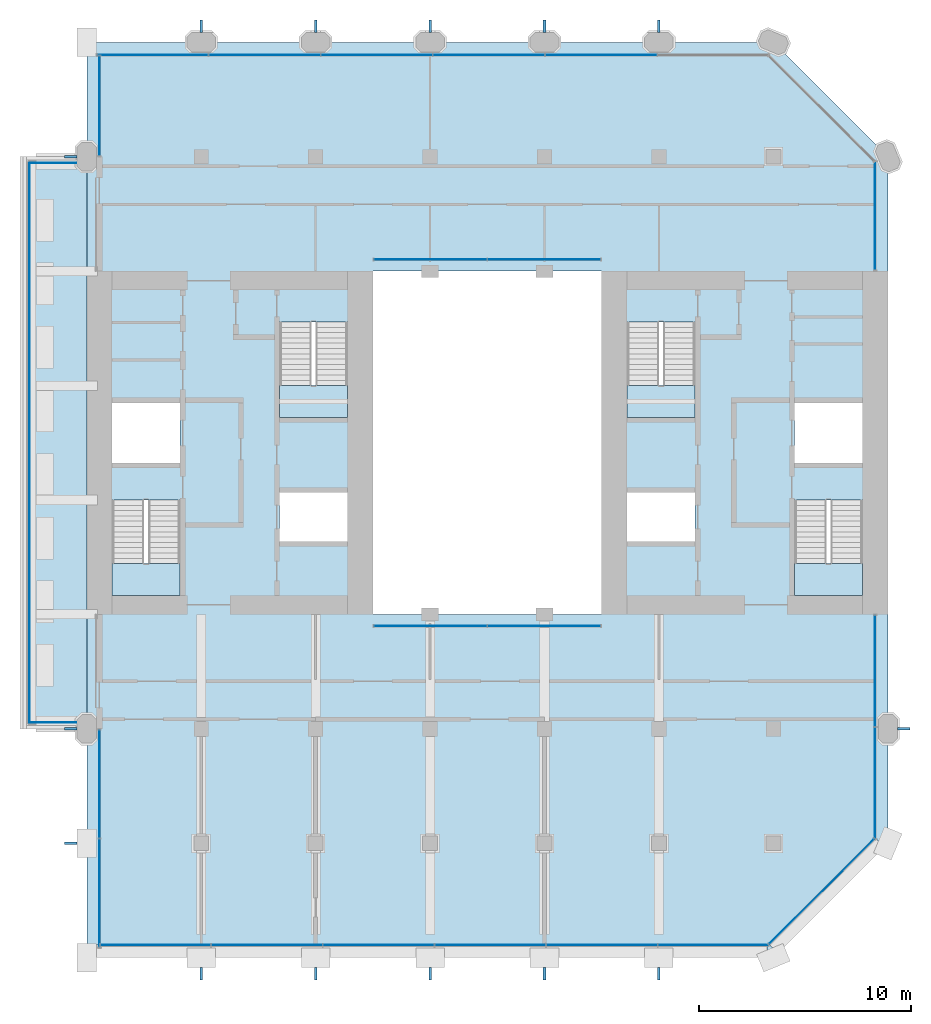
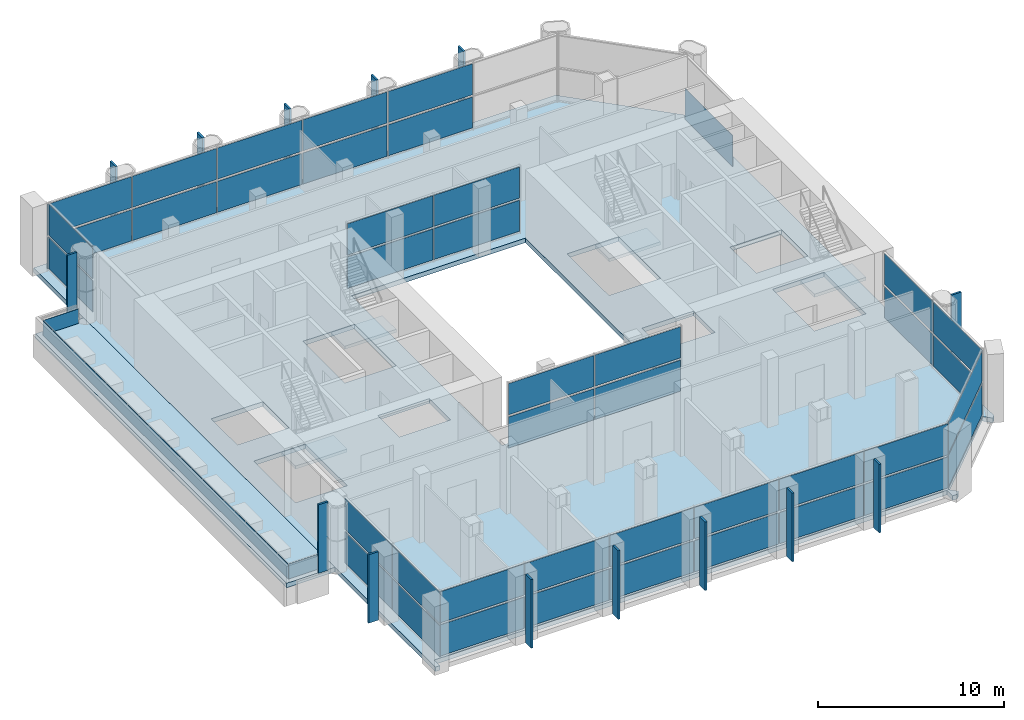
# One storey, part 8 of 14: 60 plates, 6 slabs, 13 elements without a shape of their own.
"""IFC4 building model written with IfcOpenShell, lengths in metres."""

from ifc_helpers import new_model, si_unit, direction, frame, frame_2d, origin, origin_2d, place, context, subcontext, project, spatial, polyline, rectangle, outline, extrude, material, layer, layer_set, type_object, element, aggregate, save


model = new_model("IFC4")

# Units and contexts
model_context = context("Model", 3, precision=1e-05, world=origin(), true_north=direction((0.0, 1.0)))
body_context = subcontext(model_context, "Body", "Model", "MODEL_VIEW")
ifc_project = project(units=[si_unit("LENGTHUNIT", "METRE"), si_unit("AREAUNIT", "SQUARE_METRE"), si_unit("VOLUMEUNIT", "CUBIC_METRE"), si_unit("PLANEANGLEUNIT", "RADIAN"), si_unit("MASSUNIT", "GRAM", prefix="KILO")], contexts=[model_context])

# Site, building, storey
site_placement = place(None, origin())
site = spatial("IfcSite", under=ifc_project, at=site_placement, CompositionType="ELEMENT")
building_placement = place(site_placement, origin())
building = spatial("IfcBuilding", under=site, at=building_placement, Name="Tabaq Tower and Sports Hall", CompositionType="ELEMENT")
storey_placement = place(building_placement, frame((0.0, 0.0, 250.89990234375)))
storey = spatial("IfcBuildingStorey", under=building, at=storey_placement, Name="L61", CompositionType="ELEMENT", Elevation=250.89990234375)

# Curtain wall, plates
ifc_material_1 = material(Name="Aluminium alloy 6063-T6 framed glazing", Category="aluminium")
curtain_wall_type_1 = type_object("IfcCurtainWallType", Name="CW1 curtain wall", PredefinedType="USERDEFINED", material=ifc_material_1)
curtain_wall_1_placement = place(storey_placement, origin())
curtain_wall_1 = element("IfcCurtainWall", 1, at=curtain_wall_1_placement, inside=storey, type_object=curtain_wall_type_1, Name="Atrium glazing L61 S", ObjectType="ATRIUM ENCLOSURE", PredefinedType="USERDEFINED")
ifc_material_2 = material(Name="Clear low-emissivity glass 28 mm", Category="glass")
ifc_layer_1 = layer(ifc_material_2, 0.028076171875)
ifc_layer_set_1 = layer_set([ifc_layer_1], Name="CW1 glass panel 28")
plate_type_1 = type_object("IfcPlateType", Name="CW1 glass panel 28", PredefinedType="CURTAIN_PANEL", material=ifc_layer_set_1)
plate_1_placement = place(storey_placement, frame((21.614990234375, 15.64990234375, 0.14013671875), z_axis=(0.0, 0.0, 1.0), x_axis=(1.0, 0.0, 0.0)))
plate_1 = element("IfcPlate", 2, at=plate_1_placement, type_object=plate_type_1, Name="CW1 panel 1.1", PredefinedType="CURTAIN_PANEL", context=body_context, shape_type="SweptSolid", body=[
    extrude(rectangle(XDim=5.31005859375, YDim=0.028076171875, at=origin_2d()), origin(), (0.0, 0.0, 1.0), 2.0400390625),
])
plate_2_placement = place(storey_placement, frame((21.614990234375, 15.64990234375, 2.320068359375), z_axis=(0.0, 0.0, 1.0), x_axis=(1.0, 0.0, 0.0)))
plate_2 = element("IfcPlate", 3, at=plate_2_placement, type_object=plate_type_1, Name="CW1 panel 1.2", PredefinedType="CURTAIN_PANEL", context=body_context, shape_type="SweptSolid", body=[
    extrude(rectangle(XDim=5.31005859375, YDim=0.028076171875, at=origin_2d()), origin(), (0.0, 0.0, 1.0), 2.0400390625),
])
plate_3_placement = place(storey_placement, frame((26.985107421875, 15.64990234375, 0.14013671875), z_axis=(0.0, 0.0, 1.0), x_axis=(1.0, 0.0, 0.0)))
plate_3 = element("IfcPlate", 4, at=plate_3_placement, type_object=plate_type_1, Name="CW1 panel 2.1", PredefinedType="CURTAIN_PANEL", context=body_context, shape_type="SweptSolid", body=[
    extrude(rectangle(XDim=5.31005859375, YDim=0.028076171875, at=origin_2d()), origin(), (0.0, 0.0, 1.0), 2.0400390625),
])
plate_4_placement = place(storey_placement, frame((26.985107421875, 15.64990234375, 2.320068359375), z_axis=(0.0, 0.0, 1.0), x_axis=(1.0, 0.0, 0.0)))
plate_4 = element("IfcPlate", 5, at=plate_4_placement, type_object=plate_type_1, Name="CW1 panel 2.2", PredefinedType="CURTAIN_PANEL", context=body_context, shape_type="SweptSolid", body=[
    extrude(rectangle(XDim=5.31005859375, YDim=0.028076171875, at=origin_2d()), origin(), (0.0, 0.0, 1.0), 2.0400390625),
])
aggregate(curtain_wall_1, [plate_1, plate_2, plate_3, plate_4])

curtain_wall_2_placement = place(storey_placement, origin())
curtain_wall_2 = element("IfcCurtainWall", 6, at=curtain_wall_2_placement, inside=storey, type_object=curtain_wall_type_1, Name="Atrium glazing L61 N", ObjectType="ATRIUM ENCLOSURE", PredefinedType="USERDEFINED")
plate_5_placement = place(storey_placement, frame((21.614990234375, 32.949951171875, 0.14013671875), z_axis=(0.0, 0.0, 1.0), x_axis=(1.0, 0.0, 0.0)))
plate_5 = element("IfcPlate", 7, at=plate_5_placement, type_object=plate_type_1, Name="CW1 panel 1.1", PredefinedType="CURTAIN_PANEL", context=body_context, shape_type="SweptSolid", body=[
    extrude(rectangle(XDim=5.31005859375, YDim=0.028076171875, at=origin_2d()), origin(), (0.0, 0.0, 1.0), 2.0400390625),
])
plate_6_placement = place(storey_placement, frame((21.614990234375, 32.949951171875, 2.320068359375), z_axis=(0.0, 0.0, 1.0), x_axis=(1.0, 0.0, 0.0)))
plate_6 = element("IfcPlate", 8, at=plate_6_placement, type_object=plate_type_1, Name="CW1 panel 1.2", PredefinedType="CURTAIN_PANEL", context=body_context, shape_type="SweptSolid", body=[
    extrude(rectangle(XDim=5.31005859375, YDim=0.028076171875, at=origin_2d()), origin(), (0.0, 0.0, 1.0), 2.0400390625),
])
plate_7_placement = place(storey_placement, frame((26.985107421875, 32.949951171875, 0.14013671875), z_axis=(0.0, 0.0, 1.0), x_axis=(1.0, 0.0, 0.0)))
plate_7 = element("IfcPlate", 9, at=plate_7_placement, type_object=plate_type_1, Name="CW1 panel 2.1", PredefinedType="CURTAIN_PANEL", context=body_context, shape_type="SweptSolid", body=[
    extrude(rectangle(XDim=5.31005859375, YDim=0.028076171875, at=origin_2d()), origin(), (0.0, 0.0, 1.0), 2.0400390625),
])
plate_8_placement = place(storey_placement, frame((26.985107421875, 32.949951171875, 2.320068359375), z_axis=(0.0, 0.0, 1.0), x_axis=(1.0, 0.0, 0.0)))
plate_8 = element("IfcPlate", 10, at=plate_8_placement, type_object=plate_type_1, Name="CW1 panel 2.2", PredefinedType="CURTAIN_PANEL", context=body_context, shape_type="SweptSolid", body=[
    extrude(rectangle(XDim=5.31005859375, YDim=0.028076171875, at=origin_2d()), origin(), (0.0, 0.0, 1.0), 2.0400390625),
])
aggregate(curtain_wall_2, [plate_5, plate_6, plate_7, plate_8])

ifc_material_3 = material(Name="Aluminium alloy 6063-T6 framed glazing", Category="aluminium")
curtain_wall_type_2 = type_object("IfcCurtainWallType", Name="CW3 curtain wall", PredefinedType="USERDEFINED", material=ifc_material_3)
curtain_wall_3_placement = place(storey_placement, origin())
curtain_wall_3 = element("IfcCurtainWall", 11, at=curtain_wall_3_placement, inside=storey, type_object=curtain_wall_type_2, Name="Garden Floor Wall L61 S", ObjectType="GARDEN FLOOR WALL", PredefinedType="USERDEFINED")
ifc_material_4 = material(Name="Clear low-emissivity glass 28 mm", Category="glass")
ifc_layer_2 = layer(ifc_material_4, 0.028076171875)
ifc_layer_set_2 = layer_set([ifc_layer_2], Name="CW3 glass panel 28")
plate_type_2 = type_object("IfcPlateType", Name="CW3 glass panel 28", PredefinedType="CURTAIN_PANEL", material=ifc_layer_set_2)
plate_9_placement = place(storey_placement, frame((8.6494140625, 0.60009765625, 0.14013671875), z_axis=(0.0, 0.0, 1.0), x_axis=(1.0, 0.0, 0.0)))
plate_9 = element("IfcPlate", 12, at=plate_9_placement, type_object=plate_type_2, Name="CW3 panel 1.1", PredefinedType="CURTAIN_PANEL", context=body_context, shape_type="SweptSolid", body=[
    extrude(rectangle(XDim=5.178955078125, YDim=0.028076171875, at=origin_2d()), origin(), (0.0, 0.0, 1.0), 2.0400390625),
])
plate_10_placement = place(storey_placement, frame((8.6494140625, 0.60009765625, 2.320068359375), z_axis=(0.0, 0.0, 1.0), x_axis=(1.0, 0.0, 0.0)))
plate_10 = element("IfcPlate", 13, at=plate_10_placement, type_object=plate_type_2, Name="CW3 panel 1.2", PredefinedType="CURTAIN_PANEL", context=body_context, shape_type="SweptSolid", body=[
    extrude(rectangle(XDim=5.178955078125, YDim=0.028076171875, at=origin_2d()), origin(), (0.0, 0.0, 1.0), 2.0400390625),
])
plate_11_placement = place(storey_placement, frame((13.9033203125, 0.60009765625, 0.14013671875), z_axis=(0.0, 0.0, 1.0), x_axis=(1.0, 0.0, 0.0)))
plate_11 = element("IfcPlate", 14, at=plate_11_placement, type_object=plate_type_2, Name="CW3 panel 2.1", PredefinedType="CURTAIN_PANEL", context=body_context, shape_type="SweptSolid", body=[
    extrude(rectangle(XDim=5.208984375, YDim=0.028076171875, at=origin_2d()), origin(), (0.0, 0.0, 1.0), 2.0400390625),
])
plate_12_placement = place(storey_placement, frame((13.9033203125, 0.60009765625, 2.320068359375), z_axis=(0.0, 0.0, 1.0), x_axis=(1.0, 0.0, 0.0)))
plate_12 = element("IfcPlate", 15, at=plate_12_placement, type_object=plate_type_2, Name="CW3 panel 2.2", PredefinedType="CURTAIN_PANEL", context=body_context, shape_type="SweptSolid", body=[
    extrude(rectangle(XDim=5.208984375, YDim=0.028076171875, at=origin_2d()), origin(), (0.0, 0.0, 1.0), 2.0400390625),
])
plate_13_placement = place(storey_placement, frame((19.17236328125, 0.60009765625, 0.14013671875), z_axis=(0.0, 0.0, 1.0), x_axis=(1.0, 0.0, 0.0)))
plate_13 = element("IfcPlate", 16, at=plate_13_placement, type_object=plate_type_2, Name="CW3 panel 3.1", PredefinedType="CURTAIN_PANEL", context=body_context, shape_type="SweptSolid", body=[
    extrude(rectangle(XDim=5.208984375, YDim=0.028076171875, at=origin_2d()), origin(), (0.0, 0.0, 1.0), 2.0400390625),
])
plate_14_placement = place(storey_placement, frame((19.17236328125, 0.60009765625, 2.320068359375), z_axis=(0.0, 0.0, 1.0), x_axis=(1.0, 0.0, 0.0)))
plate_14 = element("IfcPlate", 17, at=plate_14_placement, type_object=plate_type_2, Name="CW3 panel 3.2", PredefinedType="CURTAIN_PANEL", context=body_context, shape_type="SweptSolid", body=[
    extrude(rectangle(XDim=5.208984375, YDim=0.028076171875, at=origin_2d()), origin(), (0.0, 0.0, 1.0), 2.0400390625),
])
plate_15_placement = place(storey_placement, frame((24.441162109375, 0.60009765625, 0.14013671875), z_axis=(0.0, 0.0, 1.0), x_axis=(1.0, 0.0, 0.0)))
plate_15 = element("IfcPlate", 18, at=plate_15_placement, type_object=plate_type_2, Name="CW3 panel 4.1", PredefinedType="CURTAIN_PANEL", context=body_context, shape_type="SweptSolid", body=[
    extrude(rectangle(XDim=5.208984375, YDim=0.028076171875, at=origin_2d()), origin(), (0.0, 0.0, 1.0), 2.0400390625),
])
plate_16_placement = place(storey_placement, frame((24.441162109375, 0.60009765625, 2.320068359375), z_axis=(0.0, 0.0, 1.0), x_axis=(1.0, 0.0, 0.0)))
plate_16 = element("IfcPlate", 19, at=plate_16_placement, type_object=plate_type_2, Name="CW3 panel 4.2", PredefinedType="CURTAIN_PANEL", context=body_context, shape_type="SweptSolid", body=[
    extrude(rectangle(XDim=5.208984375, YDim=0.028076171875, at=origin_2d()), origin(), (0.0, 0.0, 1.0), 2.0400390625),
])
plate_17_placement = place(storey_placement, frame((29.710205078125, 0.60009765625, 0.14013671875), z_axis=(0.0, 0.0, 1.0), x_axis=(1.0, 0.0, 0.0)))
plate_17 = element("IfcPlate", 20, at=plate_17_placement, type_object=plate_type_2, Name="CW3 panel 5.1", PredefinedType="CURTAIN_PANEL", context=body_context, shape_type="SweptSolid", body=[
    extrude(rectangle(XDim=5.208984375, YDim=0.028076171875, at=origin_2d()), origin(), (0.0, 0.0, 1.0), 2.0400390625),
])
plate_18_placement = place(storey_placement, frame((29.710205078125, 0.60009765625, 2.320068359375), z_axis=(0.0, 0.0, 1.0), x_axis=(1.0, 0.0, 0.0)))
plate_18 = element("IfcPlate", 21, at=plate_18_placement, type_object=plate_type_2, Name="CW3 panel 5.2", PredefinedType="CURTAIN_PANEL", context=body_context, shape_type="SweptSolid", body=[
    extrude(rectangle(XDim=5.208984375, YDim=0.028076171875, at=origin_2d()), origin(), (0.0, 0.0, 1.0), 2.0400390625),
])
plate_19_placement = place(storey_placement, frame((34.964111328125, 0.60009765625, 0.14013671875), z_axis=(0.0, 0.0, 1.0), x_axis=(1.0, 0.0, 0.0)))
plate_19 = element("IfcPlate", 22, at=plate_19_placement, type_object=plate_type_2, Name="CW3 panel 6.1", PredefinedType="CURTAIN_PANEL", context=body_context, shape_type="SweptSolid", body=[
    extrude(rectangle(XDim=5.178955078125, YDim=0.028076171875, at=origin_2d()), origin(), (0.0, 0.0, 1.0), 2.0400390625),
])
plate_20_placement = place(storey_placement, frame((34.964111328125, 0.60009765625, 2.320068359375), z_axis=(0.0, 0.0, 1.0), x_axis=(1.0, 0.0, 0.0)))
plate_20 = element("IfcPlate", 23, at=plate_20_placement, type_object=plate_type_2, Name="CW3 panel 6.2", PredefinedType="CURTAIN_PANEL", context=body_context, shape_type="SweptSolid", body=[
    extrude(rectangle(XDim=5.178955078125, YDim=0.028076171875, at=origin_2d()), origin(), (0.0, 0.0, 1.0), 2.0400390625),
])
aggregate(curtain_wall_3, [plate_9, plate_10, plate_11, plate_12, plate_13, plate_14, plate_15, plate_16, plate_17, plate_18, plate_19, plate_20])

curtain_wall_4_placement = place(storey_placement, origin())
curtain_wall_4 = element("IfcCurtainWall", 24, at=curtain_wall_4_placement, inside=storey, type_object=curtain_wall_type_2, Name="Garden Floor Wall L61 SE", ObjectType="GARDEN FLOOR WALL", PredefinedType="USERDEFINED")
plate_21_placement = place(storey_placement, frame((40.07568359375, 3.124267578125, 0.14013671875), z_axis=(0.0, 0.0, 1.0), x_axis=(0.707106781187, 0.707106781187, 0.0)))
plate_21 = element("IfcPlate", 25, at=plate_21_placement, type_object=plate_type_2, Name="CW3 panel 1.1", PredefinedType="CURTAIN_PANEL", context=body_context, shape_type="SweptSolid", body=[
    extrude(rectangle(XDim=7.019775390625, YDim=0.028076171875, at=origin_2d()), origin(), (0.0, 0.0, 1.0), 2.0400390625),
])
plate_22_placement = place(storey_placement, frame((40.07568359375, 3.124267578125, 2.320068359375), z_axis=(0.0, 0.0, 1.0), x_axis=(0.707106781187, 0.707106781187, 0.0)))
plate_22 = element("IfcPlate", 26, at=plate_22_placement, type_object=plate_type_2, Name="CW3 panel 1.2", PredefinedType="CURTAIN_PANEL", context=body_context, shape_type="SweptSolid", body=[
    extrude(rectangle(XDim=7.019775390625, YDim=0.028076171875, at=origin_2d()), origin(), (0.0, 0.0, 1.0), 2.0400390625),
])
aggregate(curtain_wall_4, [plate_21, plate_22])

curtain_wall_5_placement = place(storey_placement, origin())
curtain_wall_5 = element("IfcCurtainWall", 27, at=curtain_wall_5_placement, inside=storey, type_object=curtain_wall_type_2, Name="Garden Floor Wall L61 E", ObjectType="GARDEN FLOOR WALL", PredefinedType="USERDEFINED")
plate_23_placement = place(storey_placement, frame((42.60009765625, 8.2548828125, 0.14013671875), z_axis=(0.0, 0.0, 1.0), x_axis=(0.0, 1.0, 0.0)))
plate_23 = element("IfcPlate", 28, at=plate_23_placement, type_object=plate_type_2, Name="CW3 panel 1.1", PredefinedType="CURTAIN_PANEL", context=body_context, shape_type="SweptSolid", body=[
    extrude(rectangle(XDim=5.216796875, YDim=0.028076171875, at=origin_2d()), origin(), (0.0, 0.0, 1.0), 2.0400390625),
])
plate_24_placement = place(storey_placement, frame((42.60009765625, 8.2548828125, 2.320068359375), z_axis=(0.0, 0.0, 1.0), x_axis=(0.0, 1.0, 0.0)))
plate_24 = element("IfcPlate", 29, at=plate_24_placement, type_object=plate_type_2, Name="CW3 panel 1.2", PredefinedType="CURTAIN_PANEL", context=body_context, shape_type="SweptSolid", body=[
    extrude(rectangle(XDim=5.216796875, YDim=0.028076171875, at=origin_2d()), origin(), (0.0, 0.0, 1.0), 2.0400390625),
])
plate_25_placement = place(storey_placement, frame((42.60009765625, 13.531494140625, 0.14013671875), z_axis=(0.0, 0.0, 1.0), x_axis=(0.0, 1.0, 0.0)))
plate_25 = element("IfcPlate", 30, at=plate_25_placement, type_object=plate_type_2, Name="CW3 panel 2.1", PredefinedType="CURTAIN_PANEL", context=body_context, shape_type="SweptSolid", body=[
    extrude(rectangle(XDim=5.216796875, YDim=0.028076171875, at=origin_2d()), origin(), (0.0, 0.0, 1.0), 2.0400390625),
])
plate_26_placement = place(storey_placement, frame((42.60009765625, 13.531494140625, 2.320068359375), z_axis=(0.0, 0.0, 1.0), x_axis=(0.0, 1.0, 0.0)))
plate_26 = element("IfcPlate", 31, at=plate_26_placement, type_object=plate_type_2, Name="CW3 panel 2.2", PredefinedType="CURTAIN_PANEL", context=body_context, shape_type="SweptSolid", body=[
    extrude(rectangle(XDim=5.216796875, YDim=0.028076171875, at=origin_2d()), origin(), (0.0, 0.0, 1.0), 2.0400390625),
])
aggregate(curtain_wall_5, [plate_23, plate_24, plate_25, plate_26])

# Curtain wall, plate
curtain_wall_6_placement = place(storey_placement, origin())
curtain_wall_6 = element("IfcCurtainWall", 32, at=curtain_wall_6_placement, inside=storey, type_object=curtain_wall_type_2, Name="Garden Floor Wall L61 E", ObjectType="GARDEN FLOOR WALL", PredefinedType="USERDEFINED")
plate_27_placement = place(storey_placement, frame((42.60009765625, 35.0068359375, 0.14013671875), z_axis=(0.0, 0.0, 1.0), x_axis=(0.0, 1.0, 0.0)))
plate_27 = element("IfcPlate", 33, at=plate_27_placement, type_object=plate_type_2, Name="CW3 panel 1.1", PredefinedType="CURTAIN_PANEL", context=body_context, shape_type="SweptSolid", body=[
    extrude(rectangle(XDim=5.093505859375, YDim=0.028076171875, at=origin_2d()), origin(), (0.0, 0.0, 1.0), 2.0400390625),
])
aggregate(curtain_wall_6, [plate_27])

# Curtain wall, plates
curtain_wall_7_placement = place(storey_placement, origin())
curtain_wall_7 = element("IfcCurtainWall", 34, at=curtain_wall_7_placement, inside=storey, type_object=curtain_wall_type_2, Name="Garden Floor Wall L61 N", ObjectType="GARDEN FLOOR WALL", PredefinedType="USERDEFINED")
plate_28_placement = place(storey_placement, frame((29.672607421875, 42.60009765625, 0.14013671875), z_axis=(0.0, 0.0, 1.0), x_axis=(-1.0, 0.0, 0.0)))
plate_28 = element("IfcPlate", 35, at=plate_28_placement, type_object=plate_type_2, Name="CW3 panel 2.1", PredefinedType="CURTAIN_PANEL", context=body_context, shape_type="SweptSolid", body=[
    extrude(rectangle(XDim=5.23388671875, YDim=0.028076171875, at=origin_2d()), origin(), (0.0, 0.0, 1.0), 2.0400390625),
])
plate_29_placement = place(storey_placement, frame((29.672607421875, 42.60009765625, 2.320068359375), z_axis=(0.0, 0.0, 1.0), x_axis=(-1.0, 0.0, 0.0)))
plate_29 = element("IfcPlate", 36, at=plate_29_placement, type_object=plate_type_2, Name="CW3 panel 2.2", PredefinedType="CURTAIN_PANEL", context=body_context, shape_type="SweptSolid", body=[
    extrude(rectangle(XDim=5.23388671875, YDim=0.028076171875, at=origin_2d()), origin(), (0.0, 0.0, 1.0), 2.0400390625),
])
plate_30_placement = place(storey_placement, frame((24.378662109375, 42.60009765625, 0.14013671875), z_axis=(0.0, 0.0, 1.0), x_axis=(-1.0, 0.0, 0.0)))
plate_30 = element("IfcPlate", 37, at=plate_30_placement, type_object=plate_type_2, Name="CW3 panel 3.1", PredefinedType="CURTAIN_PANEL", context=body_context, shape_type="SweptSolid", body=[
    extrude(rectangle(XDim=5.23388671875, YDim=0.028076171875, at=origin_2d()), origin(), (0.0, 0.0, 1.0), 2.0400390625),
])
plate_31_placement = place(storey_placement, frame((24.378662109375, 42.60009765625, 2.320068359375), z_axis=(0.0, 0.0, 1.0), x_axis=(-1.0, 0.0, 0.0)))
plate_31 = element("IfcPlate", 38, at=plate_31_placement, type_object=plate_type_2, Name="CW3 panel 3.2", PredefinedType="CURTAIN_PANEL", context=body_context, shape_type="SweptSolid", body=[
    extrude(rectangle(XDim=5.23388671875, YDim=0.028076171875, at=origin_2d()), origin(), (0.0, 0.0, 1.0), 2.0400390625),
])
plate_32_placement = place(storey_placement, frame((19.084716796875, 42.60009765625, 0.14013671875), z_axis=(0.0, 0.0, 1.0), x_axis=(-1.0, 0.0, 0.0)))
plate_32 = element("IfcPlate", 39, at=plate_32_placement, type_object=plate_type_2, Name="CW3 panel 4.1", PredefinedType="CURTAIN_PANEL", context=body_context, shape_type="SweptSolid", body=[
    extrude(rectangle(XDim=5.23388671875, YDim=0.028076171875, at=origin_2d()), origin(), (0.0, 0.0, 1.0), 2.0400390625),
])
plate_33_placement = place(storey_placement, frame((19.084716796875, 42.60009765625, 2.320068359375), z_axis=(0.0, 0.0, 1.0), x_axis=(-1.0, 0.0, 0.0)))
plate_33 = element("IfcPlate", 40, at=plate_33_placement, type_object=plate_type_2, Name="CW3 panel 4.2", PredefinedType="CURTAIN_PANEL", context=body_context, shape_type="SweptSolid", body=[
    extrude(rectangle(XDim=5.23388671875, YDim=0.028076171875, at=origin_2d()), origin(), (0.0, 0.0, 1.0), 2.0400390625),
])
plate_34_placement = place(storey_placement, frame((13.791015625, 42.60009765625, 0.14013671875), z_axis=(0.0, 0.0, 1.0), x_axis=(-1.0, 0.0, 0.0)))
plate_34 = element("IfcPlate", 41, at=plate_34_placement, type_object=plate_type_2, Name="CW3 panel 5.1", PredefinedType="CURTAIN_PANEL", context=body_context, shape_type="SweptSolid", body=[
    extrude(rectangle(XDim=5.23388671875, YDim=0.028076171875, at=origin_2d()), origin(), (0.0, 0.0, 1.0), 2.0400390625),
])
plate_35_placement = place(storey_placement, frame((13.791015625, 42.60009765625, 2.320068359375), z_axis=(0.0, 0.0, 1.0), x_axis=(-1.0, 0.0, 0.0)))
plate_35 = element("IfcPlate", 42, at=plate_35_placement, type_object=plate_type_2, Name="CW3 panel 5.2", PredefinedType="CURTAIN_PANEL", context=body_context, shape_type="SweptSolid", body=[
    extrude(rectangle(XDim=5.23388671875, YDim=0.028076171875, at=origin_2d()), origin(), (0.0, 0.0, 1.0), 2.0400390625),
])
plate_36_placement = place(storey_placement, frame((8.511962890625, 42.60009765625, 0.14013671875), z_axis=(0.0, 0.0, 1.0), x_axis=(-1.0, 0.0, 0.0)))
plate_36 = element("IfcPlate", 43, at=plate_36_placement, type_object=plate_type_2, Name="CW3 panel 6.1", PredefinedType="CURTAIN_PANEL", context=body_context, shape_type="SweptSolid", body=[
    extrude(rectangle(XDim=5.203857421875, YDim=0.028076171875, at=origin_2d()), origin(), (0.0, 0.0, 1.0), 2.0400390625),
])
plate_37_placement = place(storey_placement, frame((8.511962890625, 42.60009765625, 2.320068359375), z_axis=(0.0, 0.0, 1.0), x_axis=(-1.0, 0.0, 0.0)))
plate_37 = element("IfcPlate", 44, at=plate_37_placement, type_object=plate_type_2, Name="CW3 panel 6.2", PredefinedType="CURTAIN_PANEL", context=body_context, shape_type="SweptSolid", body=[
    extrude(rectangle(XDim=5.203857421875, YDim=0.028076171875, at=origin_2d()), origin(), (0.0, 0.0, 1.0), 2.0400390625),
])
aggregate(curtain_wall_7, [plate_28, plate_29, plate_30, plate_31, plate_32, plate_33, plate_34, plate_35, plate_36, plate_37])

curtain_wall_8_placement = place(storey_placement, origin())
curtain_wall_8 = element("IfcCurtainWall", 45, at=curtain_wall_8_placement, inside=storey, type_object=curtain_wall_type_2, Name="Garden Floor Wall L61 W", ObjectType="GARDEN FLOOR WALL", PredefinedType="USERDEFINED")
plate_38_placement = place(storey_placement, frame((6.0, 40.199951171875, 0.14013671875), z_axis=(0.0, 0.0, 1.0), x_axis=(0.0, -1.0, 0.0)))
plate_38 = element("IfcPlate", 46, at=plate_38_placement, type_object=plate_type_2, Name="CW3 panel 1.1", PredefinedType="CURTAIN_PANEL", context=body_context, shape_type="SweptSolid", body=[
    extrude(rectangle(XDim=4.679931640625, YDim=0.028076171875, at=origin_2d()), origin(), (0.0, 0.0, 1.0), 2.0400390625),
])
plate_39_placement = place(storey_placement, frame((6.0, 40.199951171875, 2.320068359375), z_axis=(0.0, 0.0, 1.0), x_axis=(0.0, -1.0, 0.0)))
plate_39 = element("IfcPlate", 47, at=plate_39_placement, type_object=plate_type_2, Name="CW3 panel 1.2", PredefinedType="CURTAIN_PANEL", context=body_context, shape_type="SweptSolid", body=[
    extrude(rectangle(XDim=4.679931640625, YDim=0.028076171875, at=origin_2d()), origin(), (0.0, 0.0, 1.0), 2.0400390625),
])
aggregate(curtain_wall_8, [plate_38, plate_39])

curtain_wall_9_placement = place(storey_placement, origin())
curtain_wall_9 = element("IfcCurtainWall", 48, at=curtain_wall_9_placement, inside=storey, type_object=curtain_wall_type_2, Name="Garden Floor Wall L61 W", ObjectType="GARDEN FLOOR WALL", PredefinedType="USERDEFINED")
plate_40_placement = place(storey_placement, frame((6.0, 8.197509765625, 0.14013671875), z_axis=(0.0, 0.0, 1.0), x_axis=(0.0, -1.0, 0.0)))
plate_40 = element("IfcPlate", 49, at=plate_40_placement, type_object=plate_type_2, Name="CW3 panel 1.1", PredefinedType="CURTAIN_PANEL", context=body_context, shape_type="SweptSolid", body=[
    extrude(rectangle(XDim=5.0849609375, YDim=0.028076171875, at=origin_2d()), origin(), (0.0, 0.0, 1.0), 2.0400390625),
])
plate_41_placement = place(storey_placement, frame((6.0, 8.197509765625, 2.320068359375), z_axis=(0.0, 0.0, 1.0), x_axis=(0.0, -1.0, 0.0)))
plate_41 = element("IfcPlate", 50, at=plate_41_placement, type_object=plate_type_2, Name="CW3 panel 1.2", PredefinedType="CURTAIN_PANEL", context=body_context, shape_type="SweptSolid", body=[
    extrude(rectangle(XDim=5.0849609375, YDim=0.028076171875, at=origin_2d()), origin(), (0.0, 0.0, 1.0), 2.0400390625),
])
plate_42_placement = place(storey_placement, frame((6.0, 3.052490234375, 0.14013671875), z_axis=(0.0, 0.0, 1.0), x_axis=(0.0, -1.0, 0.0)))
plate_42 = element("IfcPlate", 51, at=plate_42_placement, type_object=plate_type_2, Name="CW3 panel 2.1", PredefinedType="CURTAIN_PANEL", context=body_context, shape_type="SweptSolid", body=[
    extrude(rectangle(XDim=5.0849609375, YDim=0.028076171875, at=origin_2d()), origin(), (0.0, 0.0, 1.0), 2.0400390625),
])
plate_43_placement = place(storey_placement, frame((6.0, 3.052490234375, 2.320068359375), z_axis=(0.0, 0.0, 1.0), x_axis=(0.0, -1.0, 0.0)))
plate_43 = element("IfcPlate", 52, at=plate_43_placement, type_object=plate_type_2, Name="CW3 panel 2.2", PredefinedType="CURTAIN_PANEL", context=body_context, shape_type="SweptSolid", body=[
    extrude(rectangle(XDim=5.0849609375, YDim=0.028076171875, at=origin_2d()), origin(), (0.0, 0.0, 1.0), 2.0400390625),
])
aggregate(curtain_wall_9, [plate_40, plate_41, plate_42, plate_43])

# Slab
ifc_material_5 = material(Name="Concrete C40/50", Category="concrete")
ifc_layer_3 = layer(ifc_material_5, 0.300048828125)
ifc_layer_set_3 = layer_set([ifc_layer_3], Name="Concrete C40/50 PT tray slab 300")
slab_type_1 = type_object("IfcSlabType", Name="Concrete C40/50 PT tray slab 300", PredefinedType="FLOOR", material=ifc_layer_set_3)
slab_1_placement = place(storey_placement, frame((0.0, 0.0, -0.2998046875)))
element("IfcSlab", 53, at=slab_1_placement, inside=storey, type_object=slab_type_1, Name="Tray slab L61", PredefinedType="FLOOR", context=body_context, shape_type="SweptSolid", body=[
    extrude(outline(polyline([(5.39990234375, 37.800048828125), (5.39990234375, 10.800048828125), (2.39990234375, 10.800048828125), (2.39990234375, 37.800048828125), (5.39990234375, 37.800048828125)])), origin(), (0.0, 0.0, 1.0), 0.2998046875),
])

# Stair, slab
ifc_material_6 = material(Name="Concrete C40/50", Category="concrete")
stair_type = type_object("IfcStairType", Name="Exit stair", PredefinedType="HALF_TURN_STAIR", material=ifc_material_6)
stair_1_placement = place(storey_placement, origin())
stair_1 = element("IfcStair", 54, at=stair_1_placement, inside=storey, type_object=stair_type, Name="L61 Exit stair ST1", PredefinedType="HALF_TURN_STAIR")
ifc_material_7 = material(Name="Concrete C40/50", Category="concrete")
ifc_layer_4 = layer(ifc_material_7, 0.199951171875)
ifc_layer_set_4 = layer_set([ifc_layer_4], Name="Exit stair landing")
slab_type_2 = type_object("IfcSlabType", Name="Exit stair landing", PredefinedType="LANDING", material=ifc_layer_set_4)
slab_2_placement = place(storey_placement, frame((0.0, 0.0, 2.2001953125)))
slab_2 = element("IfcSlab", 55, at=slab_2_placement, type_object=slab_type_2, Name="ST1 landing 1", PredefinedType="LANDING", context=body_context, shape_type="SweptSolid", body=[
    extrude(outline(polyline([(6.60009765625, 18.60009765625), (6.60009765625, 17.10009765625), (9.800048828125, 17.10009765625), (9.800048828125, 18.60009765625), (6.60009765625, 18.60009765625)])), origin(), (0.0, 0.0, 1.0), 0.199951171875),
])
aggregate(stair_1, [slab_2])

stair_2_placement = place(storey_placement, origin())
stair_2 = element("IfcStair", 56, at=stair_2_placement, inside=storey, type_object=stair_type, Name="L61 Exit stair ST2", PredefinedType="HALF_TURN_STAIR")
slab_3_placement = place(storey_placement, frame((0.0, 0.0, 2.2001953125)))
slab_3 = element("IfcSlab", 57, at=slab_3_placement, type_object=slab_type_2, Name="ST2 landing 1", PredefinedType="LANDING", context=body_context, shape_type="SweptSolid", body=[
    extrude(outline(polyline([(14.5, 27.0), (14.5, 25.5), (17.699951171875, 25.5), (17.699951171875, 27.0), (14.5, 27.0)])), origin(), (0.0, 0.0, 1.0), 0.199951171875),
])
aggregate(stair_2, [slab_3])

stair_3_placement = place(storey_placement, origin())
stair_3 = element("IfcStair", 58, at=stair_3_placement, inside=storey, type_object=stair_type, Name="L61 Exit stair ST3", PredefinedType="HALF_TURN_STAIR")
slab_4_placement = place(storey_placement, frame((0.0, 0.0, 2.2001953125)))
slab_4 = element("IfcSlab", 59, at=slab_4_placement, type_object=slab_type_2, Name="ST3 landing 1", PredefinedType="LANDING", context=body_context, shape_type="SweptSolid", body=[
    extrude(outline(polyline([(38.800048828125, 18.60009765625), (38.800048828125, 17.10009765625), (42.0, 17.10009765625), (42.0, 18.60009765625), (38.800048828125, 18.60009765625)])), origin(), (0.0, 0.0, 1.0), 0.199951171875),
])
aggregate(stair_3, [slab_4])

stair_4_placement = place(storey_placement, origin())
stair_4 = element("IfcStair", 60, at=stair_4_placement, inside=storey, type_object=stair_type, Name="L61 Exit stair ST4", PredefinedType="HALF_TURN_STAIR")
slab_5_placement = place(storey_placement, frame((0.0, 0.0, 2.2001953125)))
slab_5 = element("IfcSlab", 61, at=slab_5_placement, type_object=slab_type_2, Name="ST4 landing 1", PredefinedType="LANDING", context=body_context, shape_type="SweptSolid", body=[
    extrude(outline(polyline([(30.89990234375, 27.0), (30.89990234375, 25.5), (34.10009765625, 25.5), (34.10009765625, 27.0), (30.89990234375, 27.0)])), origin(), (0.0, 0.0, 1.0), 0.199951171875),
])
aggregate(stair_4, [slab_5])

# Plates
ifc_material_8 = material(Name="Clear low-emissivity glass 28 mm", Category="glass")
ifc_layer_5 = layer(ifc_material_8, 0.02001953125)
ifc_layer_set_5 = layer_set([ifc_layer_5], Name="Laminated glass tray guard panel 20")
plate_type_3 = type_object("IfcPlateType", Name="Laminated glass tray guard panel 20", PredefinedType="USERDEFINED", material=ifc_layer_set_5)
plate_44_placement = place(storey_placement, frame((4.89990234375, 37.5, 0.0), z_axis=(0.0, 0.0, 1.0), x_axis=(-1.0, 0.0, 0.0)))
element("IfcPlate", 62, at=plate_44_placement, inside=storey, type_object=plate_type_3, Name="Tray guard glass L61", ObjectType="GUARD GLASS", PredefinedType="USERDEFINED", context=body_context, shape_type="SweptSolid", body=[
    extrude(rectangle(XDim=2.199951171875, YDim=0.02001953125, at=frame_2d((1.10009765625, 0.0))), origin(), (0.0, 0.0, 1.0), 0.9501953125),
])
plate_45_placement = place(storey_placement, frame((2.699951171875, 37.5, 0.0), z_axis=(0.0, 0.0, 1.0), x_axis=(0.0, -1.0, 0.0)))
element("IfcPlate", 63, at=plate_45_placement, inside=storey, type_object=plate_type_3, Name="Tray guard glass L61", ObjectType="GUARD GLASS", PredefinedType="USERDEFINED", context=body_context, shape_type="SweptSolid", body=[
    extrude(rectangle(XDim=26.39990234375, YDim=0.02001953125, at=frame_2d((13.199951171875, 0.0))), origin(), (0.0, 0.0, 1.0), 0.9501953125),
])
plate_46_placement = place(storey_placement, frame((2.699951171875, 11.10009765625, 0.0), z_axis=(0.0, 0.0, 1.0), x_axis=(1.0, 0.0, 0.0)))
element("IfcPlate", 64, at=plate_46_placement, inside=storey, type_object=plate_type_3, Name="Tray guard glass L61", ObjectType="GUARD GLASS", PredefinedType="USERDEFINED", context=body_context, shape_type="SweptSolid", body=[
    extrude(rectangle(XDim=2.199951171875, YDim=0.02001953125, at=frame_2d((1.10009765625, 0.0))), origin(), (0.0, 0.0, 1.0), 0.9501953125),
])

# Slab
ifc_material_9 = material(Name="Concrete C40/50", Category="concrete")
ifc_layer_6 = layer(ifc_material_9, 0.300048828125)
ifc_layer_set_6 = layer_set([ifc_layer_6], Name="PT FLOOR SLAB 300 C40/50")
slab_type_3 = type_object("IfcSlabType", Name="PT FLOOR SLAB 300 C40/50", PredefinedType="FLOOR", material=ifc_layer_set_6)
slab_6_placement = place(storey_placement, frame((0.0, 0.0, -0.2998046875)))
element("IfcSlab", 65, at=slab_6_placement, inside=storey, type_object=slab_type_3, Name="Floor Slab L61", PredefinedType="FLOOR", context=body_context, shape_type="SweptSolid", body=[
    extrude(outline(polyline([(43.199951171875, 5.39990234375), (43.199951171875, 37.800048828125), (37.800048828125, 43.199951171875), (5.39990234375, 43.199951171875), (5.39990234375, 0.0), (5.68994140625, 0.0), (5.68994140625, 0.5), (5.68994140625, 0.60009765625), (37.50146484375, 0.60009765625), (37.50146484375, 0.5), (37.50146484375, 0.0), (37.800048828125, 0.0), (38.010986328125, 0.211181640625), (37.5869140625, 0.63525390625), (42.598876953125, 5.6474609375), (42.669677734375, 5.57666015625), (43.023193359375, 5.22314453125), (43.199951171875, 5.39990234375)]), holes=[polyline([(6.60009765625, 21.599365234375), (9.800048828125, 21.599365234375), (9.800048828125, 17.10009765625), (6.60009765625, 17.10009765625), (6.60009765625, 21.599365234375)]), polyline([(38.800048828125, 21.599365234375), (42.0, 21.599365234375), (42.0, 17.10009765625), (38.800048828125, 17.10009765625), (38.800048828125, 21.599365234375)]), polyline([(14.5, 21.949951171875), (17.699951171875, 21.949951171875), (17.699951171875, 19.64990234375), (14.5, 19.64990234375), (14.5, 21.949951171875)]), polyline([(30.89990234375, 21.949951171875), (34.10009765625, 21.949951171875), (34.10009765625, 19.64990234375), (30.89990234375, 19.64990234375), (30.89990234375, 21.949951171875)]), polyline([(18.89990234375, 16.199951171875), (18.89990234375, 32.39990234375), (29.699951171875, 32.39990234375), (29.699951171875, 16.199951171875), (18.89990234375, 16.199951171875)]), polyline([(6.60009765625, 26.175048828125), (9.800048828125, 26.175048828125), (9.800048828125, 23.35009765625), (6.60009765625, 23.35009765625), (6.60009765625, 26.175048828125)]), polyline([(38.800048828125, 26.175048828125), (42.0, 26.175048828125), (42.0, 23.35009765625), (38.800048828125, 23.35009765625), (38.800048828125, 26.175048828125)]), polyline([(17.699951171875, 29.99951171875), (17.699951171875, 25.5), (14.5, 25.5), (14.5, 29.99951171875), (17.699951171875, 29.99951171875)]), polyline([(34.10009765625, 29.99951171875), (34.10009765625, 25.5), (30.89990234375, 25.5), (30.89990234375, 29.99951171875), (34.10009765625, 29.99951171875)])]), origin(), (0.0, 0.0, 1.0), 0.2998046875),
])

# Plates
ifc_material_10 = material(Name="White precast concrete C60/75 fin", Category="concrete")
ifc_layer_7 = layer(ifc_material_10, 0.1201171875)
ifc_layer_set_7 = layer_set([ifc_layer_7], Name="White precast concrete C60/75 fin 120")
plate_type_4 = type_object("IfcPlateType", Name="White precast concrete C60/75 fin 120", PredefinedType="USERDEFINED", material=ifc_layer_set_7)
for number, where, z_axis, x_axis, name in (
    (66, (10.800048828125, -0.75, 0.0), (0.0, 0.0, 1.0), (1.0, 0.0, 0.0), "Fin L61 S"),
    (67, (16.199951171875, -0.75, 0.0), (0.0, 0.0, 1.0), (1.0, 0.0, 0.0), "Fin L61 S"),
    (68, (21.60009765625, -0.75, 0.0), (0.0, 0.0, 1.0), (1.0, 0.0, 0.0), "Fin L61 S"),
    (69, (27.0, -0.75, 0.0), (0.0, 0.0, 1.0), (1.0, 0.0, 0.0), "Fin L61 S"),
    (70, (32.39990234375, -0.75, 0.0), (0.0, 0.0, 1.0), (1.0, 0.0, 0.0), "Fin L61 S"),
    (71, (43.949951171875, 10.800048828125, 0.0), (0.0, 0.0, 1.0), (0.0, 1.0, 0.0), "Fin L61 E"),
    (72, (32.39990234375, 43.949951171875, 0.0), (0.0, 0.0, 1.0), (-1.0, 0.0, 0.0), "Fin L61 N"),
    (73, (27.0, 43.949951171875, 0.0), (0.0, 0.0, 1.0), (-1.0, 0.0, 0.0), "Fin L61 N"),
    (74, (21.60009765625, 43.949951171875, 0.0), (0.0, 0.0, 1.0), (-1.0, 0.0, 0.0), "Fin L61 N"),
    (75, (16.199951171875, 43.949951171875, 0.0), (0.0, 0.0, 1.0), (-1.0, 0.0, 0.0), "Fin L61 N"),
    (76, (10.800048828125, 43.949951171875, 0.0), (0.0, 0.0, 1.0), (-1.0, 0.0, 0.0), "Fin L61 N"),
    (77, (4.64990234375, 37.800048828125, 0.0), (0.0, 0.0, 1.0), (0.0, -1.0, 0.0), "Fin L61 W"),
    (78, (4.64990234375, 10.800048828125, 0.0), (0.0, 0.0, 1.0), (0.0, -1.0, 0.0), "Fin L61 W"),
    (79, (4.64990234375, 5.39990234375, 0.0), (0.0, 0.0, 1.0), (0.0, -1.0, 0.0), "Fin L61 W"),
):
    element("IfcPlate", number, at=place(storey_placement, frame(where, z_axis=z_axis, x_axis=x_axis)), inside=storey, type_object=plate_type_4, Name=name, ObjectType="FIN", PredefinedType="USERDEFINED", context=body_context, shape_type="SweptSolid", body=[
        extrude(rectangle(XDim=0.1201171875, YDim=0.60009765625, at=origin_2d()), origin(), (0.0, 0.0, 1.0), 4.5),
    ])

save(model, "model.ifc")
